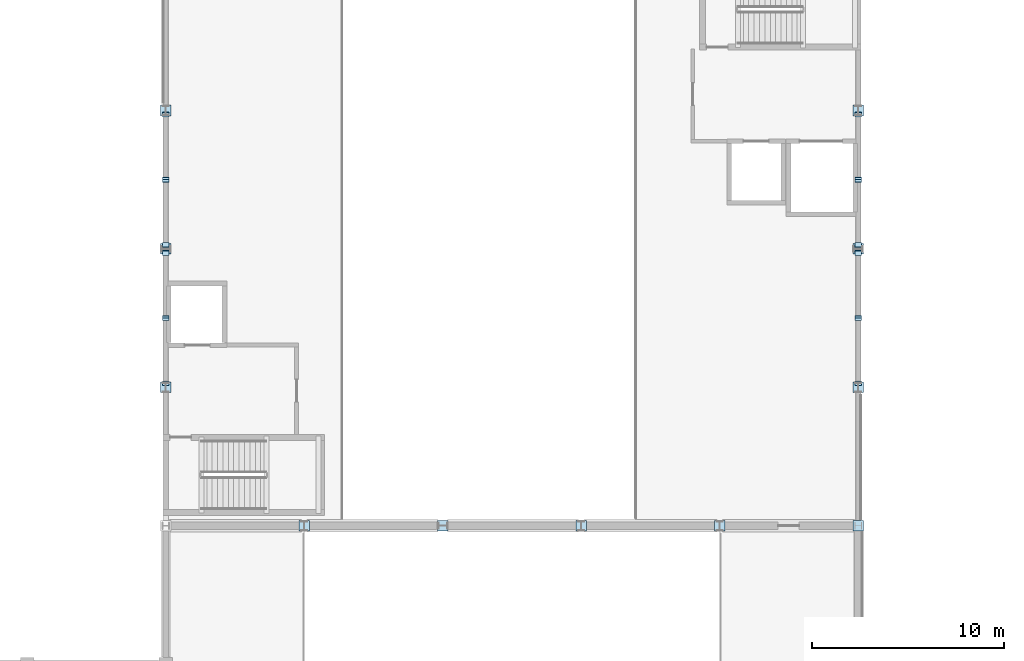
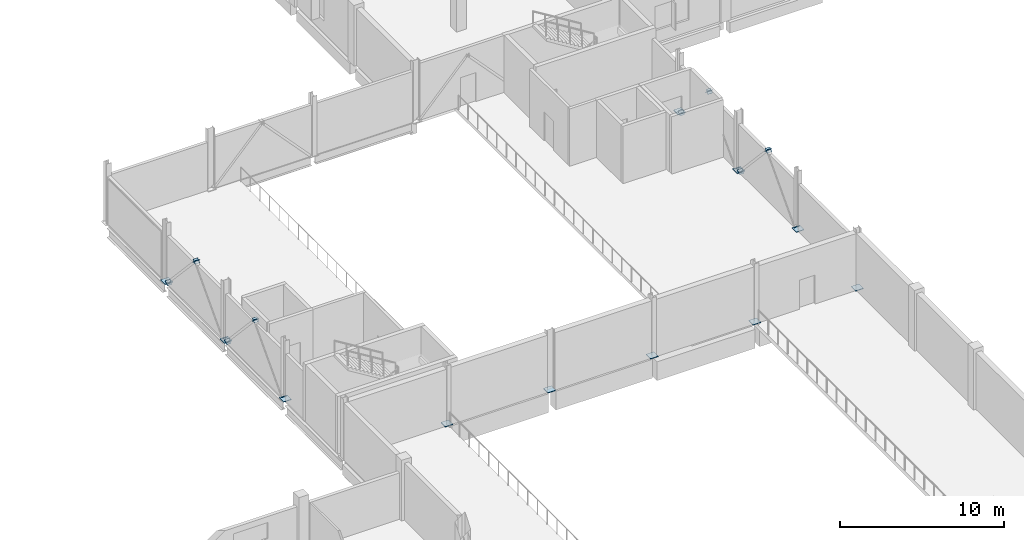
# One storey, part 86 of 108: 27 plates.
"""IFC4 building model written with IfcOpenShell, lengths in metres."""

from ifc_helpers import new_model, si_unit, direction, frame, origin, origin_2d, place, context, subcontext, project, spatial, rectangle, extrude, material, layer, layer_set, type_object, element, save


model = new_model("IFC4")

# Units and contexts
model_context = context("Model", 3, precision=1e-05, world=origin(), true_north=direction((0.0, 1.0)))
body_context = subcontext(model_context, "Body", "Model", "MODEL_VIEW")
ifc_project = project(units=[si_unit("LENGTHUNIT", "METRE"), si_unit("AREAUNIT", "SQUARE_METRE"), si_unit("VOLUMEUNIT", "CUBIC_METRE"), si_unit("PLANEANGLEUNIT", "RADIAN"), si_unit("MASSUNIT", "GRAM", prefix="KILO"), si_unit("THERMODYNAMICTEMPERATUREUNIT", "KELVIN"), si_unit("POWERUNIT", "WATT")], contexts=[model_context])

# Site, building, storey
site_placement = place(None, origin())
site = spatial("IfcSite", under=ifc_project, at=site_placement, CompositionType="ELEMENT")
building_placement = place(site_placement, origin())
building = spatial("IfcBuilding", under=site, at=building_placement, Name="Kaldorven Railside Theatre", CompositionType="ELEMENT")
storey_placement = place(building_placement, frame((0.0, 0.0, 5.39990234375)))
storey = spatial("IfcBuildingStorey", under=building, at=storey_placement, Name="L01", CompositionType="ELEMENT", Elevation=5.39990234375)

# Plates
ifc_material = material(Name="Steel S355", Category="steel")
ifc_layer_1 = layer(ifc_material, 0.044921875, Name="Steel S355")
ifc_layer_set_1 = layer_set([ifc_layer_1], Name="Steel S355")
plate_type_1 = type_object("IfcPlateType", Name="PLT-BAS-45", PredefinedType="SHEET", material=ifc_layer_set_1)
for number, where, z_axis, x_axis, name in (
    (1, (94.39990234375, 84.0, 0.000244140625), (0.0, 0.0, 1.0), (1.0, 0.0, 0.0), "Fly-Tower Stanchion Baseplate BPL-02"),
    (2, (101.60009765625, 84.0, 0.000244140625), (0.0, 0.0, 1.0), (1.0, 0.0, 0.0), "Fly-Tower Stanchion Baseplate BPL-03"),
    (3, (108.800048828125, 84.0, 0.000244140625), (0.0, 0.0, 1.0), (1.0, 0.0, 0.0), "Fly-Tower Stanchion Baseplate BPL-04"),
    (4, (116.0, 84.0, 0.000244140625), (0.0, 0.0, 1.0), (1.0, 0.0, 0.0), "Fly-Tower Stanchion Baseplate BPL-05"),
    (5, (123.199951171875, 84.0, 0.000244140625), (0.0, 0.0, 1.0), (1.0, 0.0, 0.0), "Fly-Tower Stanchion Baseplate BPL-06"),
    (6, (87.199951171875, 91.199951171875, 0.000244140625), (0.0, 0.0, 1.0), (1.0, 0.0, 0.0), "Fly-Tower Stanchion Baseplate BPL-07"),
    (7, (123.199951171875, 91.199951171875, 0.000244140625), (0.0, 0.0, 1.0), (1.0, 0.0, 0.0), "Fly-Tower Stanchion Baseplate BPL-08"),
    (8, (87.199951171875, 98.39990234375, 0.000244140625), (0.0, 0.0, 1.0), (1.0, 0.0, 0.0), "Fly-Tower Stanchion Baseplate BPL-09"),
    (9, (123.199951171875, 98.39990234375, 0.000244140625), (0.0, 0.0, 1.0), (1.0, 0.0, 0.0), "Fly-Tower Stanchion Baseplate BPL-10"),
    (10, (87.199951171875, 105.60009765625, 0.000244140625), (0.0, 0.0, 1.0), (1.0, 0.0, 0.0), "Fly-Tower Stanchion Baseplate BPL-11"),
    (11, (123.199951171875, 105.60009765625, 0.000244140625), (0.0, 0.0, 1.0), (1.0, 0.0, 0.0), "Fly-Tower Stanchion Baseplate BPL-12"),
):
    element("IfcPlate", number, at=place(storey_placement, frame(where, z_axis=z_axis, x_axis=x_axis)), inside=storey, type_object=plate_type_1, Name=name, PredefinedType="SHEET", context=body_context, shape_type="SweptSolid", body=[
        extrude(rectangle(XDim=0.550048828125, YDim=0.550048828125, at=origin_2d()), origin(), (0.0, 0.0, 1.0), 0.044921875),
    ])
ifc_layer_2 = layer(ifc_material, 0.02001953125, Name="Steel S355")
ifc_layer_set_2 = layer_set([ifc_layer_2], Name="Steel S355")
plate_type_2 = type_object("IfcPlateType", Name="PLT-GUS-20", PredefinedType="USERDEFINED", material=ifc_layer_set_2)
for number, where, z_axis, x_axis, name in (
    (12, (87.199951171875, 91.40771484375, 0.02685546875), (0.0, 0.680465121782, 0.732780470562), (-1.0, 0.0, 0.0), "End cap gusset plate PL-0001"),
    (13, (87.199951171875, 94.798583984375, 3.6787109375), (0.0, 0.680465121782, 0.732780470562), (-1.0, 0.0, 0.0), "End cap gusset plate PL-0002"),
    (14, (87.199951171875, 98.192138671875, 0.02685546875), (0.0, -0.680465121782, 0.732780470562), (1.0, 0.0, 0.0), "End cap gusset plate PL-0003"),
    (15, (87.199951171875, 94.801513671875, 3.6787109375), (0.0, -0.680465121782, 0.732780470562), (1.0, 0.0, 0.0), "End cap gusset plate PL-0004"),
    (16, (87.199951171875, 98.607666015625, 0.02685546875), (0.0, 0.680465121782, 0.732780470562), (-1.0, 0.0, 0.0), "End cap gusset plate PL-0005"),
    (17, (87.199951171875, 101.99853515625, 3.6787109375), (0.0, 0.680465121782, 0.732780470562), (-1.0, 0.0, 0.0), "End cap gusset plate PL-0006"),
    (18, (87.199951171875, 105.392333984375, 0.02685546875), (0.0, -0.680465121782, 0.732780470562), (1.0, 0.0, 0.0), "End cap gusset plate PL-0007"),
    (19, (87.199951171875, 102.00146484375, 3.6787109375), (0.0, -0.680465121782, 0.732780470562), (1.0, 0.0, 0.0), "End cap gusset plate PL-0008"),
    (20, (123.199951171875, 91.40771484375, 0.02685546875), (0.0, 0.680465121782, 0.732780470562), (-1.0, 0.0, 0.0), "End cap gusset plate PL-0009"),
    (21, (123.199951171875, 94.798583984375, 3.6787109375), (0.0, 0.680465121782, 0.732780470562), (-1.0, 0.0, 0.0), "End cap gusset plate PL-0010"),
    (22, (123.199951171875, 98.192138671875, 0.02685546875), (0.0, -0.680465121782, 0.732780470562), (1.0, 0.0, 0.0), "End cap gusset plate PL-0011"),
    (23, (123.199951171875, 94.801513671875, 3.6787109375), (0.0, -0.680465121782, 0.732780470562), (1.0, 0.0, 0.0), "End cap gusset plate PL-0012"),
    (24, (123.199951171875, 98.607666015625, 0.02685546875), (0.0, 0.680465121782, 0.732780470562), (-1.0, 0.0, 0.0), "End cap gusset plate PL-0013"),
    (25, (123.199951171875, 101.99853515625, 3.6787109375), (0.0, 0.680465121782, 0.732780470562), (-1.0, 0.0, 0.0), "End cap gusset plate PL-0014"),
    (26, (123.199951171875, 105.392333984375, 0.02685546875), (0.0, -0.680465121782, 0.732780470562), (1.0, 0.0, 0.0), "End cap gusset plate PL-0015"),
    (27, (123.199951171875, 102.00146484375, 3.6787109375), (0.0, -0.680465121782, 0.732780470562), (1.0, 0.0, 0.0), "End cap gusset plate PL-0016"),
):
    element("IfcPlate", number, at=place(storey_placement, frame(where, z_axis=z_axis, x_axis=x_axis)), inside=storey, type_object=plate_type_2, Name=name, ObjectType="GUSSET PLATE", PredefinedType="USERDEFINED", context=body_context, shape_type="SweptSolid", body=[
        extrude(rectangle(XDim=0.3330078125, YDim=0.3330078125, at=origin_2d()), origin(), (0.0, 0.0, 1.0), 0.02001953125),
    ])

save(model, "model.ifc")
